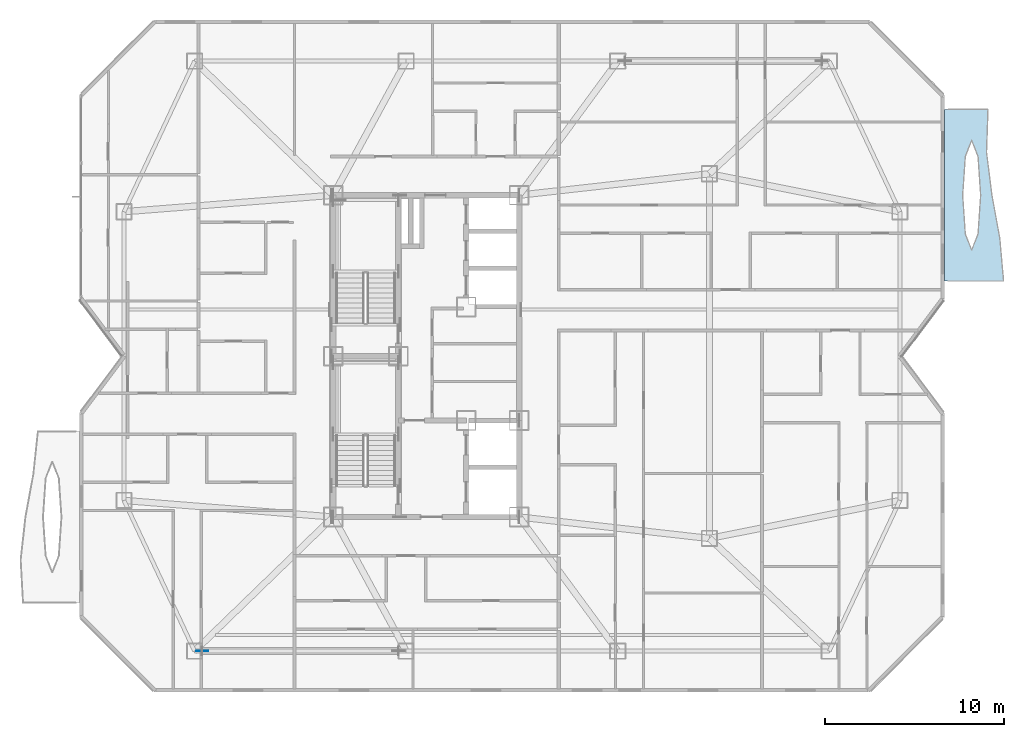
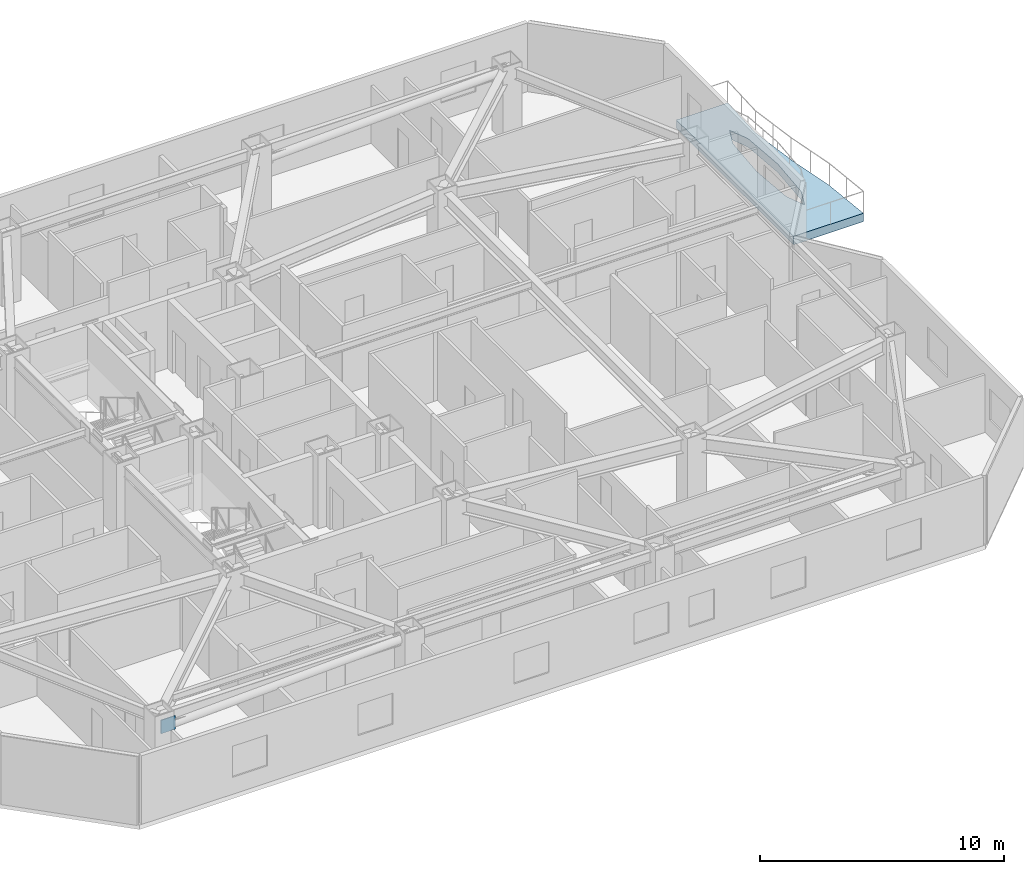
# One storey, part 8 of 18: 1 plate, 1 slab.
"""IFC4 building model written with IfcOpenShell, lengths in metres."""

from ifc_helpers import new_model, si_unit, direction, frame, origin, origin_2d, place, context, subcontext, project, spatial, polyline, rectangle, outline, extrude, material, layer, layer_set, type_object, element, save


model = new_model("IFC4")

# Units and contexts
model_context = context("Model", 3, precision=1e-05, world=origin(), true_north=direction((0.0, 1.0)))
body_context = subcontext(model_context, "Body", "Model", "MODEL_VIEW")
ifc_project = project(units=[si_unit("LENGTHUNIT", "METRE"), si_unit("AREAUNIT", "SQUARE_METRE"), si_unit("VOLUMEUNIT", "CUBIC_METRE"), si_unit("PLANEANGLEUNIT", "RADIAN"), si_unit("MASSUNIT", "GRAM", prefix="KILO")], contexts=[model_context])

# Site, building, storey
site_placement = place(None, origin())
site = spatial("IfcSite", under=ifc_project, at=site_placement, CompositionType="ELEMENT")
building_placement = place(site_placement, origin())
building = spatial("IfcBuilding", under=site, at=building_placement, Name="Khamvora Tower", CompositionType="ELEMENT")
storey_placement = place(building_placement, frame((0.0, 0.0, 181.449951171875)))
storey = spatial("IfcBuildingStorey", under=building, at=storey_placement, Name="L46", CompositionType="ELEMENT", Elevation=181.449951171875)

# Plate
ifc_material_1 = material(Name="Steel S460", Category="steel")
ifc_layer_1 = layer(ifc_material_1, 0.0400390625)
ifc_layer_set_1 = layer_set([ifc_layer_1], Name="Steel S460")
plate_type = type_object("IfcPlateType", Name="PLT-GUS-40", PredefinedType="SHEET", material=ifc_layer_set_1)
plate_placement = place(storey_placement, frame((21.679931640625, 11.5, 2.35791015625), z_axis=(0.0, 0.0, 1.0), x_axis=(1.0, 0.0, 0.0)))
element("IfcPlate", 1, at=plate_placement, inside=storey, type_object=plate_type, Name="L46 brace connection node gusset plate 0301", PredefinedType="SHEET", context=body_context, shape_type="SweptSolid", body=[
    extrude(rectangle(XDim=0.679931640625, YDim=0.0400390625, at=origin_2d()), origin(), (0.0, 0.0, 1.0), 0.679931640625),
])

# Slab
ifc_material_2 = material(Name="Concrete C40/50", Category="concrete")
ifc_layer_2 = layer(ifc_material_2, 0.419921875)
ifc_layer_set_2 = layer_set([ifc_layer_2], Name="Concrete C40/50")
slab_type = type_object("IfcSlabType", Name="SLB-GRD-420", PredefinedType="FLOOR", material=ifc_layer_set_2)
slab_placement = place(storey_placement, frame((0.0, 0.0, -0.419921875)))
element("IfcSlab", 2, at=slab_placement, inside=storey, type_object=slab_type, Name="L46 external lens gallery slab EL2", PredefinedType="FLOOR", context=body_context, shape_type="SweptSolid", body=[
    extrude(outline(polyline([(66.5, 32.199951171875), (66.287109375, 34.60009765625), (65.847900390625, 37.0), (65.544921875, 39.39990234375), (65.626953125, 41.800048828125), (63.199951171875, 41.800048828125), (63.199951171875, 32.199951171875), (66.5, 32.199951171875)]), holes=[polyline([(65.218994140625, 37.0), (65.071044921875, 39.172119140625), (64.715087890625, 40.072021484375), (64.35888671875, 39.172119140625), (64.2109375, 37.0), (64.35888671875, 34.827880859375), (64.715087890625, 33.927978515625), (65.071044921875, 34.827880859375), (65.218994140625, 37.0)])]), origin(), (0.0, 0.0, 1.0), 0.419921875),
])

save(model, "model.ifc")
